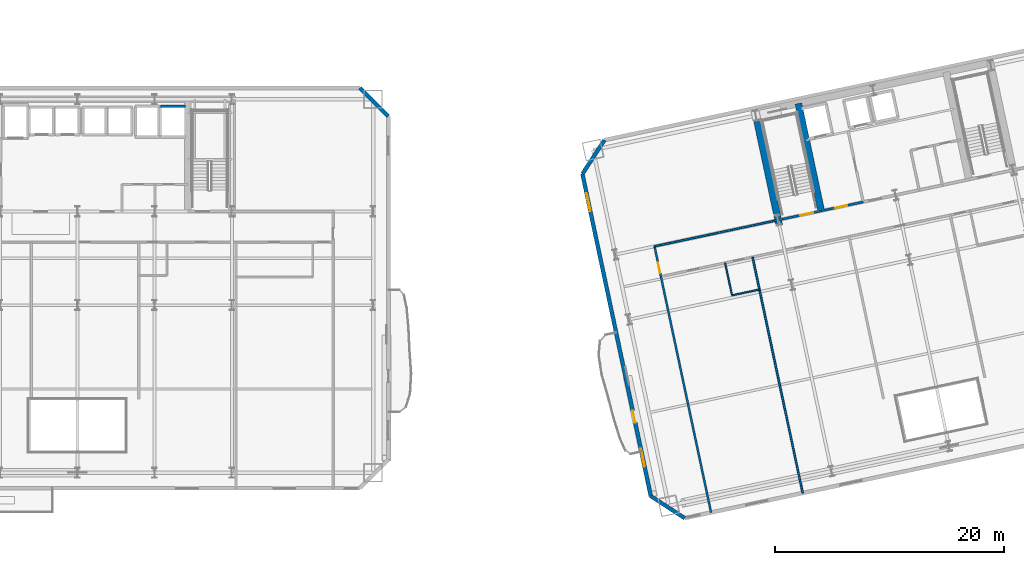
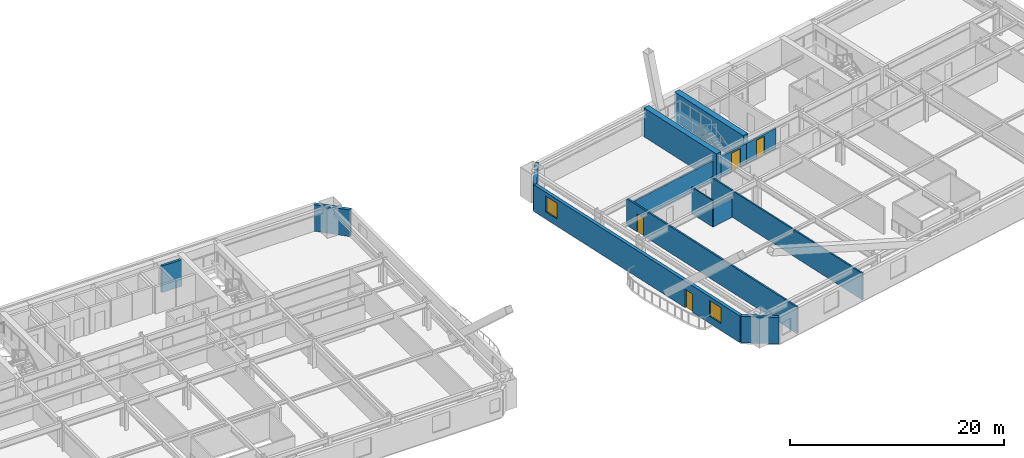
# One storey, part 7 of 17: 14 walls, 4 doors, 2 windows, 6 openings.
"""IFC4 building model written with IfcOpenShell, lengths in metres."""

from ifc_helpers import new_model, si_unit, direction, frame, frame_2d, origin, place, context, subcontext, project, spatial, rectangle, extrude, material, layer, layer_set, type_object, element, fill, save


model = new_model("IFC4")

# Units and contexts
model_context = context("Model", 3, precision=1e-05, world=origin(), true_north=direction((0.0, 1.0)))
body_context = subcontext(model_context, "Body", "Model", "MODEL_VIEW")
ifc_project = project(units=[si_unit("LENGTHUNIT", "METRE"), si_unit("AREAUNIT", "SQUARE_METRE"), si_unit("VOLUMEUNIT", "CUBIC_METRE"), si_unit("PLANEANGLEUNIT", "RADIAN"), si_unit("MASSUNIT", "GRAM", prefix="KILO")], contexts=[model_context])

# Site, building, storey
site_placement = place(None, origin())
site = spatial("IfcSite", under=ifc_project, at=site_placement, CompositionType="ELEMENT")
building_placement = place(site_placement, origin())
building = spatial("IfcBuilding", under=site, at=building_placement, Name="Haevon Station Towers", CompositionType="ELEMENT")
storey_placement = place(building_placement, frame((0.0, 0.0, 40.5)))
storey = spatial("IfcBuildingStorey", under=building, at=storey_placement, Name="L09", CompositionType="ELEMENT", Elevation=40.5)

# Wall, opening, door
ifc_material_1 = material(Name="Gypsum board on steel stud", Category="steel")
ifc_layer_1 = layer(ifc_material_1, 0.179931640625)
ifc_layer_set_1 = layer_set([ifc_layer_1], Name="Gypsum board on steel stud")
wall_type_1 = type_object("IfcWallType", Name="WL-ACU180", PredefinedType="PARTITIONING", material=ifc_layer_set_1)
wall_1_placement = place(storey_placement, frame((92.89208984375, 11.864990234375, 0.0), z_axis=(0.0, 0.0, 1.0), x_axis=(-0.207908442811, 0.978148291113, 0.0)))
wall_1 = element("IfcWall", 1, at=wall_1_placement, inside=storey, type_object=wall_type_1, Name="WL-T2PT-L09-03", PredefinedType="PARTITIONING", context=body_context, shape_type="SweptSolid", body=[
    extrude(rectangle(XDim=23.800048828125, YDim=0.179931640625, at=frame_2d((11.89990234375, 0.0))), origin(), (0.0, 0.0, 1.0), 3.030029296875),
])
opening_1_placement = place(wall_1_placement, frame((21.419921875, 0.0, 0.0)))
opening_1 = element("IfcOpeningElement", 2, at=opening_1_placement, cuts=wall_1, Name="Opening DR-WL-T2PT-L09-03-01", PredefinedType="OPENING", context=body_context, shape_type="SweptSolid", body=[
    extrude(rectangle(XDim=0.89990234375, YDim=2.050048828125, at=frame_2d((0.449951171875, 1.02490234375))), frame((0.0, 0.099853515625, 0.0), z_axis=(0.0, -1.0, 0.0), x_axis=(1.0, 0.0, 0.0)), (0.0, 0.0, 1.0), 0.199951171875),
])
ifc_material_2 = material(Name="Engineered oak timber", Category="wood")
door_type_1 = type_object("IfcDoorType", Name="DR-INT-900", OperationType="NOTDEFINED", PredefinedType="DOOR", material=ifc_material_2)
door_1_placement = place(opening_1_placement, origin())
door_1 = element("IfcDoor", 3, at=door_1_placement, inside=storey, type_object=door_type_1, Name="L09 Tower 2 Room Door 3-1", OperationType="SINGLE_SWING_RIGHT", OverallHeight=2.050048828125, OverallWidth=0.89990234375, PredefinedType="DOOR", context=body_context, shape_type="SweptSolid", body=[
    extrude(rectangle(XDim=0.89990234375, YDim=2.050048828125, at=frame_2d((0.449951171875, 1.02490234375))), frame((0.0, 0.02490234375, 0.0), z_axis=(0.0, -1.0, 0.0), x_axis=(1.0, 0.0, 0.0)), (0.0, 0.0, 1.0), 0.050048828125),
])
fill(opening_1, door_1)

ifc_layer_2 = layer(ifc_material_1, 0.199951171875)
ifc_layer_set_2 = layer_set([ifc_layer_2], Name="Gypsum board on steel stud")
wall_type_2 = type_object("IfcWallType", Name="WL-COR200", PredefinedType="PARTITIONING", material=ifc_layer_set_2)
wall_2_placement = place(storey_placement, frame((98.75244140625, 37.4423828125, 0.0), z_axis=(0.0, 0.0, 1.0), x_axis=(0.978143537786, 0.207930804564, 0.0)))
wall_2 = element("IfcWall", 4, at=wall_2_placement, inside=storey, type_object=wall_type_2, Name="WL-ST-ST3-L09", PredefinedType="PARTITIONING", context=body_context, shape_type="SweptSolid", body=[
    extrude(rectangle(XDim=3.85009765625, YDim=0.199951171875, at=frame_2d((1.925048828125, 0.0))), origin(), (0.0, 0.0, 1.0), 2.330078125),
])
opening_2_placement = place(wall_2_placement, frame((2.0, 0.0, 0.0)))
opening_2 = element("IfcOpeningElement", 5, at=opening_2_placement, cuts=wall_2, Name="Opening DR-ST-ST3-L09", PredefinedType="OPENING", context=body_context, shape_type="SweptSolid", body=[
    extrude(rectangle(XDim=1.1201171875, YDim=2.10009765625, at=frame_2d((0.56005859375, 1.050048828125))), frame((0.0, 0.10986328125, 0.0), z_axis=(0.0, -1.0, 0.0), x_axis=(1.0, 0.0, 0.0)), (0.0, 0.0, 1.0), 0.219970703125),
])
door_type_2 = type_object("IfcDoorType", Name="DR-ST-1120", OperationType="NOTDEFINED", PredefinedType="DOOR", material=ifc_material_2)
door_2_placement = place(opening_2_placement, origin())
door_2 = element("IfcDoor", 6, at=door_2_placement, inside=storey, type_object=door_type_2, Name="L09 Escape Stair ST3 Fire Door", OperationType="SINGLE_SWING_LEFT", OverallHeight=2.10009765625, OverallWidth=1.1201171875, PredefinedType="DOOR", context=body_context, shape_type="SweptSolid", body=[
    extrude(rectangle(XDim=1.1201171875, YDim=2.10009765625, at=frame_2d((0.56005859375, 1.050048828125))), frame((0.0, 0.02490234375, 0.0), z_axis=(0.0, -1.0, 0.0), x_axis=(1.0, 0.0, 0.0)), (0.0, 0.0, 1.0), 0.050048828125),
])
fill(opening_2, door_2)

wall_3_placement = place(storey_placement, frame((102.518310546875, 38.242919921875, 0.0), z_axis=(0.0, 0.0, 1.0), x_axis=(0.978153555683, 0.20788367301, 0.0)))
wall_3 = element("IfcWall", 7, at=wall_3_placement, inside=storey, type_object=wall_type_2, Name="WL-T2FFL-L09-S", PredefinedType="PARTITIONING", context=body_context, shape_type="SweptSolid", body=[
    extrude(rectangle(XDim=3.75, YDim=0.199951171875, at=frame_2d((1.875, 0.0))), origin(), (0.0, 0.0, 1.0), 2.330078125),
])
opening_3_placement = place(wall_3_placement, frame((1.25, 0.0, 0.0)))
opening_3 = element("IfcOpeningElement", 8, at=opening_3_placement, cuts=wall_3, Name="Opening DR-T2FFL-L09-S", PredefinedType="OPENING", context=body_context, shape_type="SweptSolid", body=[
    extrude(rectangle(XDim=1.050048828125, YDim=2.10009765625, at=frame_2d((0.52490234375, 1.050048828125))), frame((0.0, 0.10986328125, 0.0), z_axis=(0.0, -1.0, 0.0), x_axis=(1.0, 0.0, 0.0)), (0.0, 0.0, 1.0), 0.219970703125),
])
door_type_3 = type_object("IfcDoorType", Name="DR-FD60-1050", OperationType="NOTDEFINED", PredefinedType="DOOR", material=ifc_material_2)
door_3_placement = place(opening_3_placement, origin())
door_3 = element("IfcDoor", 9, at=door_3_placement, inside=storey, type_object=door_type_3, Name="L09 Tower 2 Firefighting Lift Lobby Door S", OperationType="SINGLE_SWING_RIGHT", OverallHeight=2.10009765625, OverallWidth=1.050048828125, PredefinedType="DOOR", context=body_context, shape_type="SweptSolid", body=[
    extrude(rectangle(XDim=1.050048828125, YDim=2.10009765625, at=frame_2d((0.52490234375, 1.050048828125))), frame((0.0, 0.02490234375, 0.0), z_axis=(0.0, -1.0, 0.0), x_axis=(1.0, 0.0, 0.0)), (0.0, 0.0, 1.0), 0.050048828125),
])
fill(opening_3, door_3)

# Walls
ifc_material_3 = material(Name="Concrete C60/75", Category="concrete")
ifc_layer_3 = layer(ifc_material_3, 0.60009765625)
ifc_layer_set_3 = layer_set([ifc_layer_3], Name="Concrete C60/75")
wall_type_3 = type_object("IfcWallType", Name="WL-CR600", PredefinedType="SHEAR", material=ifc_layer_set_3)
wall_4_placement = place(storey_placement, frame((98.8603515625, 36.933837890625, 0.0), z_axis=(0.0, 0.0, 1.0), x_axis=(-0.20790924889, 0.978148119778, 0.0)))
element("IfcWall", 10, at=wall_4_placement, inside=storey, type_object=wall_type_3, Name="WL-T2CR-L09-W", PredefinedType="SHEAR", context=body_context, shape_type="SweptSolid", body=[
    extrude(rectangle(XDim=10.119873046875, YDim=0.60009765625, at=frame_2d((5.06005859375, 0.0))), origin(), (0.0, 0.0, 1.0), 3.300048828125),
])
wall_5_placement = place(storey_placement, frame((102.518310546875, 38.242919921875, 0.0), z_axis=(0.0, 0.0, 1.0), x_axis=(-0.207927495108, 0.978144241295, 0.0)))
element("IfcWall", 11, at=wall_5_placement, inside=storey, type_object=wall_type_3, Name="WL-T2CR-L09-M1", PredefinedType="SHEAR", context=body_context, shape_type="SweptSolid", body=[
    extrude(rectangle(XDim=9.599853515625, YDim=0.60009765625, at=frame_2d((4.7998046875, 0.0))), origin(), (0.0, 0.0, 1.0), 3.300048828125),
])
ifc_material_4 = material(Name="Precast concrete C45/55", Category="concrete")
ifc_layer_4 = layer(ifc_material_4, 0.340087890625)
ifc_layer_set_4 = layer_set([ifc_layer_4], Name="Precast concrete C45/55")
wall_type_4 = type_object("IfcWallType", Name="WL-EXT-PIER340", PredefinedType="SOLIDWALL", material=ifc_layer_set_4)
wall_6_placement = place(storey_placement, frame((62.199951171875, 49.0, 0.0), z_axis=(0.0, 0.0, 1.0), x_axis=(0.707106781187, -0.707106781187, 0.0)))
element("IfcWall", 12, at=wall_6_placement, inside=storey, type_object=wall_type_4, Name="WL-T1-L09-NEC", PredefinedType="SOLIDWALL", context=body_context, shape_type="SweptSolid", body=[
    extrude(rectangle(XDim=3.53564453125, YDim=0.340087890625, at=frame_2d((1.767822265625, 0.0))), origin(), (0.0, 0.0, 1.0), 3.030029296875),
])
wall_7_placement = place(storey_placement, frame((90.593505859375, 11.37646484375, 0.0), z_axis=(0.0, 0.0, 1.0), x_axis=(-0.838672309694, 0.544636352948, 0.0)))
element("IfcWall", 13, at=wall_7_placement, inside=storey, type_object=wall_type_4, Name="WL-T2-L09-SWC", PredefinedType="SOLIDWALL", context=body_context, shape_type="SweptSolid", body=[
    extrude(rectangle(XDim=3.535400390625, YDim=0.340087890625, at=frame_2d((1.767578125, 0.0))), origin(), (0.0, 0.0, 1.0), 3.030029296875),
])

# Wall, openings, door, windows
wall_8_placement = place(storey_placement, frame((87.62841796875, 13.302001953125, 0.0), z_axis=(0.0, 0.0, 1.0), x_axis=(-0.207917660404, 0.97814633184, 0.0)))
wall_8 = element("IfcWall", 14, at=wall_8_placement, inside=storey, type_object=wall_type_4, Name="WL-T2-L09-W", PredefinedType="SOLIDWALL", context=body_context, shape_type="SweptSolid", body=[
    extrude(rectangle(XDim=28.800048828125, YDim=0.340087890625, at=frame_2d((14.39990234375, 0.0))), origin(), (0.0, 0.0, 1.0), 3.030029296875),
])
opening_4_placement = place(wall_8_placement, frame((6.574951171875, 0.0, 0.0)))
opening_4 = element("IfcOpeningElement", 15, at=opening_4_placement, cuts=wall_8, Name="Opening DR-T2-SCAL-L09-W", PredefinedType="OPENING", context=body_context, shape_type="SweptSolid", body=[
    extrude(rectangle(XDim=1.050048828125, YDim=2.10009765625, at=frame_2d((0.52490234375, 1.050048828125))), frame((0.0, 0.179931640625, 0.0), z_axis=(0.0, -1.0, 0.0), x_axis=(1.0, 0.0, 0.0)), (0.0, 0.0, 1.0), 0.360107421875),
])
opening_5_placement = place(wall_8_placement, frame((2.628662109375, 0.0, 0.800048828125)))
opening_5 = element("IfcOpeningElement", 16, at=opening_5_placement, cuts=wall_8, Name="Opening WN-END160", PredefinedType="OPENING", context=body_context, shape_type="SweptSolid", body=[
    extrude(rectangle(XDim=1.60009765625, YDim=1.800048828125, at=frame_2d((0.800048828125, 0.89990234375))), frame((0.0, 0.179931640625, 0.0), z_axis=(0.0, -1.0, 0.0), x_axis=(1.0, 0.0, 0.0)), (0.0, 0.0, 1.0), 0.360107421875),
])
opening_6_placement = place(wall_8_placement, frame((25.485595703125, 0.0, 0.800048828125)))
opening_6 = element("IfcOpeningElement", 17, at=opening_6_placement, cuts=wall_8, Name="Opening WN-END160", PredefinedType="OPENING", context=body_context, shape_type="SweptSolid", body=[
    extrude(rectangle(XDim=1.60009765625, YDim=1.800048828125, at=frame_2d((0.800048828125, 0.89990234375))), frame((0.0, 0.179931640625, 0.0), z_axis=(0.0, -1.0, 0.0), x_axis=(1.0, 0.0, 0.0)), (0.0, 0.0, 1.0), 0.360107421875),
])
ifc_material_5 = material(Name="Thermally broken anodised aluminium and laminated safety glass", Category="aluminium")
door_type_4 = type_object("IfcDoorType", Name="DR-BALC-1050", OperationType="NOTDEFINED", PredefinedType="DOOR", material=ifc_material_5)
door_4_placement = place(opening_4_placement, origin())
door_4 = element("IfcDoor", 18, at=door_4_placement, inside=storey, type_object=door_type_4, Name="Tower 2 L09 West Scalloped Balcony Door", OperationType="SINGLE_SWING_RIGHT", OverallHeight=2.10009765625, OverallWidth=1.050048828125, PredefinedType="DOOR", context=body_context, shape_type="SweptSolid", body=[
    extrude(rectangle(XDim=1.050048828125, YDim=2.10009765625, at=frame_2d((0.52490234375, 1.050048828125))), frame((0.0, 0.02490234375, 0.0), z_axis=(0.0, -1.0, 0.0), x_axis=(1.0, 0.0, 0.0)), (0.0, 0.0, 1.0), 0.050048828125),
])
fill(opening_4, door_4)
ifc_material_6 = material(Name="Low-E triple glazing in thermally broken aluminium", Category="aluminium")
window_type = type_object("IfcWindowType", Name="WN-END160", PartitioningType="SINGLE_PANEL", PredefinedType="WINDOW", material=ifc_material_6)
window_1_placement = place(opening_5_placement, origin())
window_1 = element("IfcWindow", 19, at=window_1_placement, inside=storey, type_object=window_type, Name="WN-T2-L09-W01", OverallHeight=1.800048828125, OverallWidth=1.60009765625, PartitioningType="SINGLE_PANEL", PredefinedType="WINDOW", context=body_context, shape_type="SweptSolid", body=[
    extrude(rectangle(XDim=1.60009765625, YDim=1.800048828125, at=frame_2d((0.800048828125, 0.89990234375))), frame((0.0, 0.030029296875, 0.0), z_axis=(0.0, -1.0, 0.0), x_axis=(1.0, 0.0, 0.0)), (0.0, 0.0, 1.0), 0.06005859375),
])
fill(opening_5, window_1)
window_2_placement = place(opening_6_placement, origin())
window_2 = element("IfcWindow", 20, at=window_2_placement, inside=storey, type_object=window_type, Name="WN-T2-L09-W02", OverallHeight=1.800048828125, OverallWidth=1.60009765625, PartitioningType="SINGLE_PANEL", PredefinedType="WINDOW", context=body_context, shape_type="SweptSolid", body=[
    extrude(rectangle(XDim=1.60009765625, YDim=1.800048828125, at=frame_2d((0.800048828125, 0.89990234375))), frame((0.0, 0.030029296875, 0.0), z_axis=(0.0, -1.0, 0.0), x_axis=(1.0, 0.0, 0.0)), (0.0, 0.0, 1.0), 0.06005859375),
])
fill(opening_6, window_2)

# Walls
wall_9_placement = place(storey_placement, frame((81.640380859375, 41.47265625, 0.0), z_axis=(0.0, 0.0, 1.0), x_axis=(0.544653380146, 0.838661251934, 0.0)))
element("IfcWall", 21, at=wall_9_placement, inside=storey, type_object=wall_type_4, Name="WL-T2-L09-NWC", PredefinedType="SOLIDWALL", context=body_context, shape_type="SweptSolid", body=[
    extrude(rectangle(XDim=3.535888671875, YDim=0.340087890625, at=frame_2d((1.76806640625, 0.0))), origin(), (0.0, 0.0, 1.0), 3.030029296875),
])
ifc_layer_5 = layer(ifc_material_1, 0.125)
ifc_layer_set_5 = layer_set([ifc_layer_5], Name="Gypsum board on steel stud")
wall_type_5 = type_object("IfcWallType", Name="WL-PRT125", PredefinedType="PARTITIONING", material=ifc_layer_set_5)
wall_10_placement = place(storey_placement, frame((94.7216796875, 30.860595703125, 0.0), z_axis=(0.0, 0.0, 1.0), x_axis=(0.978156824814, 0.207868290196, 0.0)))
element("IfcWall", 22, at=wall_10_placement, inside=storey, type_object=wall_type_5, Name="WL-T2PT-L09-09", PredefinedType="PARTITIONING", context=body_context, shape_type="SweptSolid", body=[
    extrude(rectangle(XDim=2.449951171875, YDim=0.125, at=frame_2d((1.22509765625, 0.0))), origin(), (0.0, 0.0, 1.0), 2.330078125),
])
wall_11_placement = place(storey_placement, frame((94.7216796875, 30.860595703125, 0.0), z_axis=(0.0, 0.0, 1.0), x_axis=(-0.207936282142, 0.978142373363, 0.0)))
element("IfcWall", 23, at=wall_11_placement, inside=storey, type_object=wall_type_5, Name="WL-T2PT-L09-10", PredefinedType="PARTITIONING", context=body_context, shape_type="SweptSolid", body=[
    extrude(rectangle(XDim=2.900146484375, YDim=0.125, at=frame_2d((1.4501953125, 0.0))), origin(), (0.0, 0.0, 1.0), 3.030029296875),
])
ifc_layer_6 = layer(ifc_material_1, 0.159912109375)
ifc_layer_set_6 = layer_set([ifc_layer_6], Name="Gypsum board on steel stud")
wall_type_6 = type_object("IfcWallType", Name="WL-PRT160", PredefinedType="PARTITIONING", material=ifc_layer_set_6)
wall_12_placement = place(storey_placement, frame((87.94384765625, 35.14501953125, 0.0), z_axis=(0.0, 0.0, 1.0), x_axis=(0.978148967098, 0.207905262477, 0.0)))
element("IfcWall", 24, at=wall_12_placement, inside=storey, type_object=wall_type_6, Name="WL-T2PT-L09-01", PredefinedType="PARTITIONING", context=body_context, shape_type="SweptSolid", body=[
    extrude(rectangle(XDim=11.050048828125, YDim=0.159912109375, at=frame_2d((5.52490234375, 0.0))), origin(), (0.0, 0.0, 1.0), 2.330078125),
])
wall_13_placement = place(storey_placement, frame((100.902099609375, 13.567626953125, 0.0), z_axis=(0.0, 0.0, 1.0), x_axis=(-0.207912863691, 0.978147351431, 0.0)))
element("IfcWall", 25, at=wall_13_placement, inside=storey, type_object=wall_type_6, Name="WL-T2PT-L09-11", PredefinedType="PARTITIONING", context=body_context, shape_type="SweptSolid", body=[
    extrude(rectangle(XDim=21.10009765625, YDim=0.159912109375, at=frame_2d((10.550048828125, 0.0))), origin(), (0.0, 0.0, 1.0), 3.030029296875),
])
ifc_material_7 = material(Name="Concrete C40/50", Category="concrete")
ifc_layer_7 = layer(ifc_material_7, 0.239990234375)
ifc_layer_set_7 = layer_set([ifc_layer_7], Name="Concrete C40/50")
wall_type_7 = type_object("IfcWallType", Name="WL-SHF240", PredefinedType="PARTITIONING", material=ifc_layer_set_7)
wall_14_placement = place(storey_placement, frame((44.77001953125, 47.39990234375, 0.0), z_axis=(0.0, 0.0, 1.0), x_axis=(1.0, 0.0, 0.0)))
element("IfcWall", 26, at=wall_14_placement, inside=storey, type_object=wall_type_7, Name="WL-SHF-PL6-L09-N", PredefinedType="PARTITIONING", context=body_context, shape_type="SweptSolid", body=[
    extrude(rectangle(XDim=2.159912109375, YDim=0.239990234375, at=frame_2d((1.080078125, 0.0))), origin(), (0.0, 0.0, 1.0), 3.030029296875),
])

save(model, "model.ifc")
